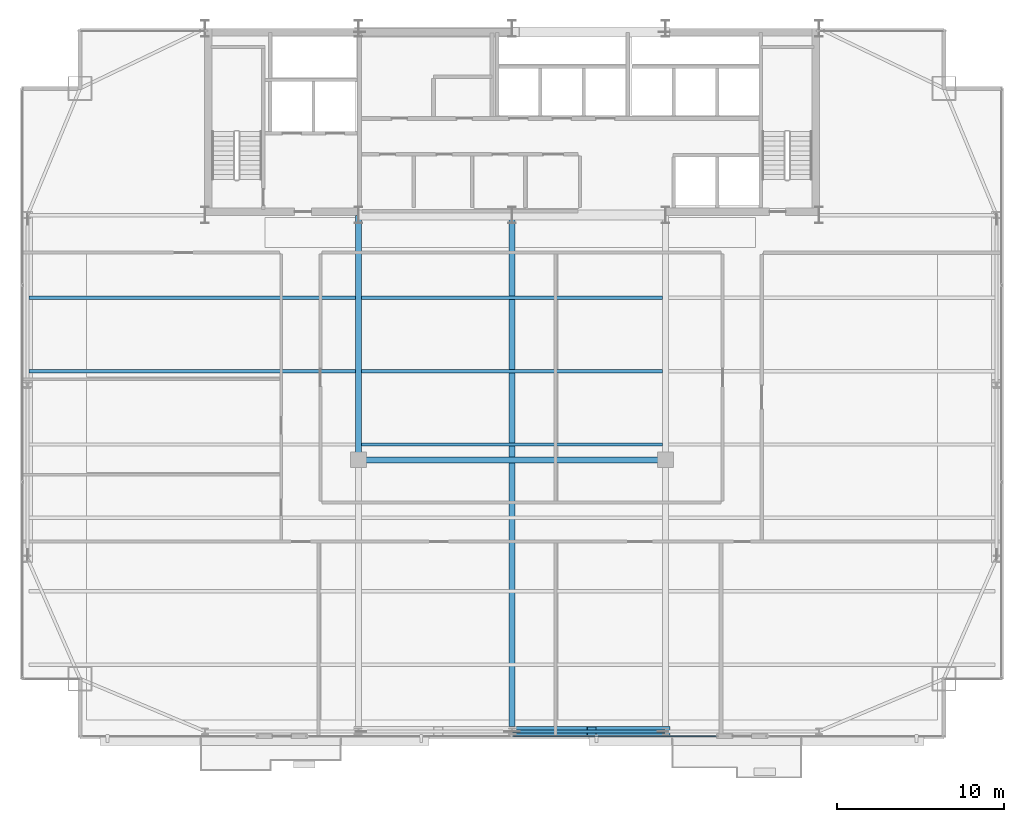
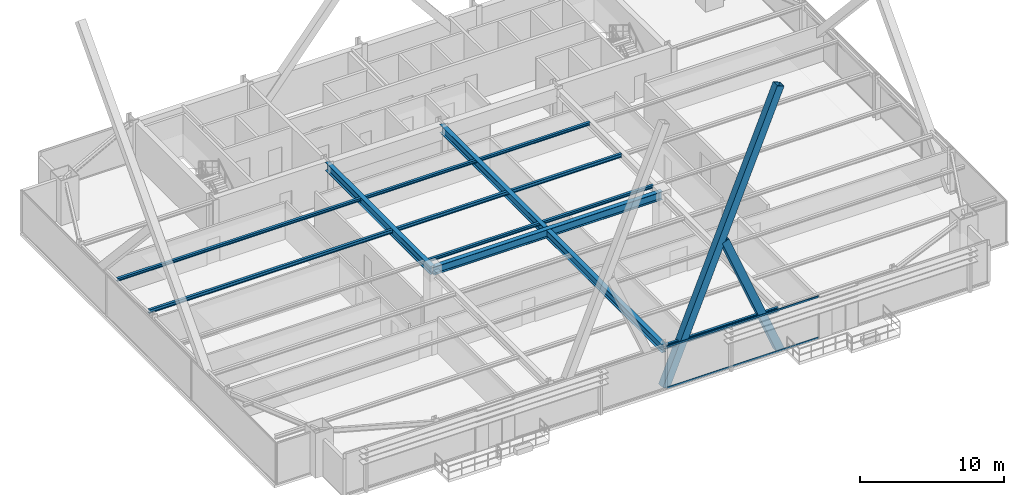
# One storey, part 13 of 38: 9 beams, 4 members, 1 element without a shape of its own.
"""IFC4 building model written with IfcOpenShell, lengths in metres."""

from ifc_helpers import new_model, si_unit, direction, frame, origin, origin_2d, place, context, subcontext, project, spatial, hollow_rectangle, i_section, extrude, source, transform, mapped, material, layer, layer_set, material_profile, profile_set, type_object, type_shapes, element, aggregate, save


model = new_model("IFC4")

# Units and contexts
model_context = context("Model", 3, precision=1e-05, world=origin(), true_north=direction((0.0, 1.0)))
body_context = subcontext(model_context, "Body", "Model", "MODEL_VIEW")
ifc_project = project(units=[si_unit("LENGTHUNIT", "METRE"), si_unit("AREAUNIT", "SQUARE_METRE"), si_unit("VOLUMEUNIT", "CUBIC_METRE"), si_unit("PLANEANGLEUNIT", "RADIAN"), si_unit("MASSUNIT", "GRAM", prefix="KILO")], contexts=[model_context])

# Site, building, storey
site_placement = place(None, origin())
site = spatial("IfcSite", under=ifc_project, at=site_placement, CompositionType="ELEMENT")
building_placement = place(site_placement, origin())
building = spatial("IfcBuilding", under=site, at=building_placement, Name="Varnel Quay Broadcast Tower", CompositionType="ELEMENT")
storey_placement = place(building_placement, frame((0.0, 0.0, 118.199951171875)))
storey = spatial("IfcBuildingStorey", under=building, at=storey_placement, Name="L28", CompositionType="ELEMENT", Elevation=118.199951171875)

# Beams
ifc_material_1 = material(Name="Structural Steel CSA G40.21 350W", Category="steel")
ifc_material_profile_1 = material_profile(ifc_material_1, i_section(OverallWidth=0.180908203125, OverallDepth=0.4169921875, WebThickness=0.010986328125, FlangeThickness=0.018310546875, FilletRadius=0.011962890625, at=origin_2d()), Name="W410X85")
ifc_profile_set_1 = profile_set([ifc_material_profile_1], Name="Structural Steel CSA G40.21 350W")
beam_type_1 = type_object("IfcBeamType", Name="Beam_W410X85", PredefinedType="SPANDREL", material=ifc_profile_set_1)
shared_shape_1 = source(origin(), body_context, "Body", "SweptSolid", [
    extrude(i_section(OverallWidth=0.180908203125, OverallDepth=0.4169921875, WebThickness=0.010986328125, FlangeThickness=0.018310546875, FilletRadius=0.011962890625, at=origin_2d()), origin(), (0.0, 0.0, 1.0), 9.159912109375),
])
type_shapes(beam_type_1, [shared_shape_1])
beam_1_placement = place(storey_placement, frame((34.02001953125, 4.64990234375, 3.341552734375), z_axis=(1.0, 0.0, 0.0), x_axis=(0.0, 1.0, 0.0)))
element("IfcBeam", 1, at=beam_1_placement, inside=storey, type_object=beam_type_1, Name="L28 South Spandrel TC-S3-TC-S4", PredefinedType="SPANDREL", context=body_context, shape_type="MappedRepresentation", body=[
    mapped(shared_shape_1, transform((0.0, 0.0, 0.0), x_axis=(1.0, 0.0, 0.0), y_axis=(0.0, 1.0, 0.0), z_axis=(0.0, 0.0, 1.0), scale=1.0)),
])
ifc_material_profile_2 = material_profile(ifc_material_1, i_section(OverallWidth=0.35498046875, OverallDepth=0.695068359375, WebThickness=0.015380859375, FlangeThickness=0.02490234375, FilletRadius=0.01806640625, at=origin_2d()), Name="W690X217")
ifc_profile_set_2 = profile_set([ifc_material_profile_2], Name="Structural Steel CSA G40.21 350W")
beam_type_2 = type_object("IfcBeamType", Name="Girder_W690X217", PredefinedType="BEAM", material=ifc_profile_set_2)
shared_shape_2 = source(origin(), body_context, "Body", "SweptSolid", [
    extrude(i_section(OverallWidth=0.35498046875, OverallDepth=0.695068359375, WebThickness=0.015380859375, FlangeThickness=0.02490234375, FilletRadius=0.01806640625, at=origin_2d()), origin(), (0.0, 0.0, 1.0), 14.630126953125),
])
beam_2_placement = place(storey_placement, frame((24.800048828125, 20.949951171875, 3.20263671875), z_axis=(0.0, 1.0, 0.0), x_axis=(-1.0, 0.0, 0.0)))
element("IfcBeam", 2, at=beam_2_placement, inside=storey, type_object=beam_type_2, Name="L28 Primary Girder IC-01-CC-S2", PredefinedType="BEAM", context=body_context, shape_type="MappedRepresentation", body=[
    mapped(shared_shape_2, transform((0.0, 0.0, 0.0), x_axis=(1.0, 0.0, 0.0), y_axis=(0.0, 1.0, 0.0), z_axis=(0.0, 0.0, 1.0), scale=1.0)),
])
shared_shape_3 = source(origin(), body_context, "Body", "SweptSolid", [
    extrude(i_section(OverallWidth=0.35498046875, OverallDepth=0.695068359375, WebThickness=0.015380859375, FlangeThickness=0.02490234375, FilletRadius=0.01806640625, at=origin_2d()), origin(), (0.0, 0.0, 1.0), 18.35986328125),
])
beam_3_placement = place(storey_placement, frame((24.820068359375, 20.929931640625, 3.20263671875), z_axis=(1.0, 0.0, 0.0), x_axis=(0.0, 1.0, 0.0)))
element("IfcBeam", 3, at=beam_3_placement, inside=storey, type_object=beam_type_2, Name="L28 Interior Spine Girder", PredefinedType="BEAM", context=body_context, shape_type="MappedRepresentation", body=[
    mapped(shared_shape_3, transform((0.0, 0.0, 0.0), x_axis=(1.0, 0.0, 0.0), y_axis=(0.0, 1.0, 0.0), z_axis=(0.0, 0.0, 1.0), scale=1.0)),
])
shared_shape_4 = source(origin(), body_context, "Body", "SweptSolid", [
    extrude(i_section(OverallWidth=0.35498046875, OverallDepth=0.695068359375, WebThickness=0.015380859375, FlangeThickness=0.02490234375, FilletRadius=0.01806640625, at=origin_2d()), origin(), (0.0, 0.0, 1.0), 30.91015625),
])
type_shapes(beam_type_2, [shared_shape_2, shared_shape_3, shared_shape_4])
beam_4_placement = place(storey_placement, frame((34.0, 4.669921875, 3.20263671875), z_axis=(0.0, 1.0, 0.0), x_axis=(-1.0, 0.0, 0.0)))
element("IfcBeam", 4, at=beam_4_placement, inside=storey, type_object=beam_type_2, Name="L28 Central Bay Girder", PredefinedType="BEAM", context=body_context, shape_type="MappedRepresentation", body=[
    mapped(shared_shape_4, transform((0.0, 0.0, 0.0), x_axis=(1.0, 0.0, 0.0), y_axis=(0.0, 1.0, 0.0), z_axis=(0.0, 0.0, 1.0), scale=1.0)),
])
ifc_material_profile_3 = material_profile(ifc_material_1, i_section(OverallWidth=0.202880859375, OverallDepth=0.302978515625, WebThickness=0.007568359375, FlangeThickness=0.01318359375, FilletRadius=0.011962890625, at=origin_2d()), Name="W310X60")
ifc_profile_set_3 = profile_set([ifc_material_profile_3], Name="Structural Steel CSA G40.21 350W")
beam_type_3 = type_object("IfcBeamType", Name="Beam_W310X60", PredefinedType="JOIST", material=ifc_profile_set_3)
shared_shape_5 = source(origin(), body_context, "Body", "SweptSolid", [
    extrude(i_section(OverallWidth=0.202880859375, OverallDepth=0.302978515625, WebThickness=0.007568359375, FlangeThickness=0.01318359375, FilletRadius=0.011962890625, at=origin_2d()), origin(), (0.0, 0.0, 1.0), 19.592041015625),
])
beam_5_placement = place(storey_placement, frame((5.035400390625, 26.25, 3.3984375), z_axis=(1.0, 0.0, 0.0), x_axis=(0.0, 1.0, 0.0)))
element("IfcBeam", 5, at=beam_5_placement, inside=storey, type_object=beam_type_3, Name="L28 West Floor Joist 5", PredefinedType="JOIST", context=body_context, shape_type="MappedRepresentation", body=[
    mapped(shared_shape_5, transform((0.0, 0.0, 0.0), x_axis=(1.0, 0.0, 0.0), y_axis=(0.0, 1.0, 0.0), z_axis=(0.0, 0.0, 1.0), scale=1.0)),
])
shared_shape_6 = source(origin(), body_context, "Body", "SweptSolid", [
    extrude(i_section(OverallWidth=0.202880859375, OverallDepth=0.302978515625, WebThickness=0.007568359375, FlangeThickness=0.01318359375, FilletRadius=0.011962890625, at=origin_2d()), origin(), (0.0, 0.0, 1.0), 18.05517578125),
])
type_shapes(beam_type_3, [shared_shape_5, shared_shape_6])
beam_6_placement = place(storey_placement, frame((24.972412109375, 26.25, 3.3984375), z_axis=(1.0, 0.0, 0.0), x_axis=(0.0, 1.0, 0.0)))
element("IfcBeam", 6, at=beam_6_placement, inside=storey, type_object=beam_type_3, Name="L28 Central Floor Joist 5", PredefinedType="JOIST", context=body_context, shape_type="MappedRepresentation", body=[
    mapped(shared_shape_6, transform((0.0, 0.0, 0.0), x_axis=(1.0, 0.0, 0.0), y_axis=(0.0, 1.0, 0.0), z_axis=(0.0, 0.0, 1.0), scale=1.0)),
])
ifc_material_profile_4 = material_profile(ifc_material_1, i_section(OverallWidth=0.201904296875, OverallDepth=0.2470703125, WebThickness=0.00732421875, FlangeThickness=0.010986328125, FilletRadius=0.010986328125, at=origin_2d()), Name="W250X49")
ifc_profile_set_4 = profile_set([ifc_material_profile_4], Name="Structural Steel CSA G40.21 350W")
beam_type_4 = type_object("IfcBeamType", Name="Beam_W250X49", PredefinedType="JOIST", material=ifc_profile_set_4)
shared_shape_7 = source(origin(), body_context, "Body", "SweptSolid", [
    extrude(i_section(OverallWidth=0.201904296875, OverallDepth=0.2470703125, WebThickness=0.00732421875, FlangeThickness=0.010986328125, FilletRadius=0.010986328125, at=origin_2d()), origin(), (0.0, 0.0, 1.0), 19.592041015625),
])
beam_7_placement = place(storey_placement, frame((5.035400390625, 30.64990234375, 3.426513671875), z_axis=(1.0, 0.0, 0.0), x_axis=(0.0, 1.0, 0.0)))
element("IfcBeam", 7, at=beam_7_placement, inside=storey, type_object=beam_type_4, Name="L28 West Floor Joist 6", PredefinedType="JOIST", context=body_context, shape_type="MappedRepresentation", body=[
    mapped(shared_shape_7, transform((0.0, 0.0, 0.0), x_axis=(1.0, 0.0, 0.0), y_axis=(0.0, 1.0, 0.0), z_axis=(0.0, 0.0, 1.0), scale=1.0)),
])
shared_shape_8 = source(origin(), body_context, "Body", "SweptSolid", [
    extrude(i_section(OverallWidth=0.201904296875, OverallDepth=0.2470703125, WebThickness=0.00732421875, FlangeThickness=0.010986328125, FilletRadius=0.010986328125, at=origin_2d()), origin(), (0.0, 0.0, 1.0), 18.05517578125),
])
type_shapes(beam_type_4, [shared_shape_7, shared_shape_8])
for number, where, z_axis, x_axis, name in (
    (8, (24.972412109375, 21.85009765625, 3.426513671875), (1.0, 0.0, 0.0), (0.0, 1.0, 0.0), "L28 Central Floor Joist 4"),
    (9, (24.972412109375, 30.64990234375, 3.426513671875), (1.0, 0.0, 0.0), (0.0, 1.0, 0.0), "L28 Central Floor Joist 6"),
):
    element("IfcBeam", number, at=place(storey_placement, frame(where, z_axis=z_axis, x_axis=x_axis)), inside=storey, type_object=beam_type_4, Name=name, PredefinedType="JOIST", context=body_context, shape_type="MappedRepresentation", body=[
        mapped(shared_shape_8, transform((0.0, 0.0, 0.0), x_axis=(1.0, 0.0, 0.0), y_axis=(0.0, 1.0, 0.0), z_axis=(0.0, 0.0, 1.0), scale=1.0)),
    ])

# Members
ifc_material_2 = material(Name="Structural Steel CSA G40.21 350WT", Category="steel")
ifc_material_profile_5 = material_profile(ifc_material_2, hollow_rectangle(XDim=0.60009765625, YDim=0.60009765625, WallThickness=0.028076171875, at=origin_2d()), Name="BOX600X600X28")
ifc_profile_set_5 = profile_set([ifc_material_profile_5], Name="Structural Steel CSA G40.21 350WT")
member_type_1 = type_object("IfcMemberType", Name="Brace_BOX600X600X28", PredefinedType="BRACE", material=ifc_profile_set_5)
shared_shape_9 = source(origin(), body_context, "Body", "SweptSolid", [
    extrude(hollow_rectangle(XDim=0.60009765625, YDim=0.60009765625, WallThickness=0.028076171875, at=origin_2d()), origin(), (0.0, 0.0, 1.0), 24.252685546875),
])
member_1_placement = place(storey_placement, frame((34.0, 4.64990234375, 0.02001953125), z_axis=(0.379338285949, 0.0, 0.925258053093), x_axis=(0.0, 1.0, 0.0)))
element("IfcMember", 10, at=member_1_placement, inside=storey, type_object=member_type_1, Name="Zone 2 Mega-Brace S-C2T3 Continuous Diag A", PredefinedType="BRACE", context=body_context, shape_type="MappedRepresentation", body=[
    mapped(shared_shape_9, transform((0.0, 0.0, 0.0), x_axis=(1.0, 0.0, 0.0), y_axis=(0.0, 1.0, 0.0), z_axis=(0.0, 0.0, 1.0), scale=1.0)),
])
shared_shape_10 = source(origin(), body_context, "Body", "SweptSolid", [
    extrude(hollow_rectangle(XDim=0.60009765625, YDim=0.60009765625, WallThickness=0.028076171875, at=origin_2d()), origin(), (0.0, 0.0, 1.0), 11.674072265625),
])
type_shapes(member_type_1, [shared_shape_9, shared_shape_10])
member_2_placement = place(storey_placement, frame((43.199951171875, 4.64990234375, 0.02001953125), z_axis=(-0.379342001912, 0.0, 0.92525652961), x_axis=(0.0, -1.0, 0.0)))
element("IfcMember", 11, at=member_2_placement, inside=storey, type_object=member_type_1, Name="Zone 2 Mega-Brace S-C2T3 Split Diag B1", PredefinedType="BRACE", context=body_context, shape_type="MappedRepresentation", body=[
    mapped(shared_shape_10, transform((0.0, 0.0, 0.0), x_axis=(1.0, 0.0, 0.0), y_axis=(0.0, 1.0, 0.0), z_axis=(0.0, 0.0, 1.0), scale=1.0)),
])

# Curtain wall, members
ifc_material_3 = material(Name="Anodised Bronze Aluminium 6063-T6", Category="aluminium")
ifc_layer = layer(ifc_material_3, 0.18994140625, Name="Anodised Bronze Aluminium 6063-T6")
ifc_layer_set = layer_set([ifc_layer], Name="Anodised Bronze Aluminium 6063-T6")
curtain_wall_type = type_object("IfcCurtainWallType", Name="CW_LowerTower", PredefinedType="NOTDEFINED", material=ifc_layer_set)
curtain_wall_placement = place(storey_placement, origin())
curtain_wall = element("IfcCurtainWall", 12, at=curtain_wall_placement, inside=storey, type_object=curtain_wall_type, Name="L28 South Unitised Curtain Wall 2", PredefinedType="NOTDEFINED")
ifc_material_profile_6 = material_profile(ifc_material_3, hollow_rectangle(XDim=0.06005859375, YDim=0.14501953125, WallThickness=0.00341796875, at=origin_2d()), Name="ALU60X145X3.5")
ifc_profile_set_6 = profile_set([ifc_material_profile_6], Name="Anodised Bronze Aluminium 6063-T6")
member_type_2 = type_object("IfcMemberType", Name="Tran_CWS-02", PredefinedType="USERDEFINED", material=ifc_profile_set_6)
shared_shape_11 = source(origin(), body_context, "Body", "SweptSolid", [
    extrude(hollow_rectangle(XDim=0.06005859375, YDim=0.14501953125, WallThickness=0.00341796875, at=origin_2d()), origin(), (0.0, 0.0, 1.0), 12.215087890625),
])
type_shapes(member_type_2, [shared_shape_11])
member_3_placement = place(storey_placement, frame((34.034912109375, 4.35009765625, 0.030029296875), z_axis=(1.0, 0.0, 0.0), x_axis=(0.0, 1.0, 0.0)))
member_3 = element("IfcMember", 13, at=member_3_placement, type_object=member_type_2, Name="CWS-02 transom 2.1", ObjectType="TRANSOM", PredefinedType="USERDEFINED", context=body_context, shape_type="MappedRepresentation", body=[
    mapped(shared_shape_11, transform((0.0, 0.0, 0.0), x_axis=(1.0, 0.0, 0.0), y_axis=(0.0, 1.0, 0.0), z_axis=(0.0, 0.0, 1.0), scale=1.0)),
])
member_4_placement = place(storey_placement, frame((34.034912109375, 4.35009765625, 3.52001953125), z_axis=(1.0, 0.0, 0.0), x_axis=(0.0, 1.0, 0.0)))
member_4 = element("IfcMember", 14, at=member_4_placement, type_object=member_type_2, Name="CWS-02 transom 2.2", ObjectType="TRANSOM", PredefinedType="USERDEFINED", context=body_context, shape_type="MappedRepresentation", body=[
    mapped(shared_shape_11, transform((0.0, 0.0, 0.0), x_axis=(1.0, 0.0, 0.0), y_axis=(0.0, 1.0, 0.0), z_axis=(0.0, 0.0, 1.0), scale=1.0)),
])
aggregate(curtain_wall, [member_3, member_4])

save(model, "model.ifc")
